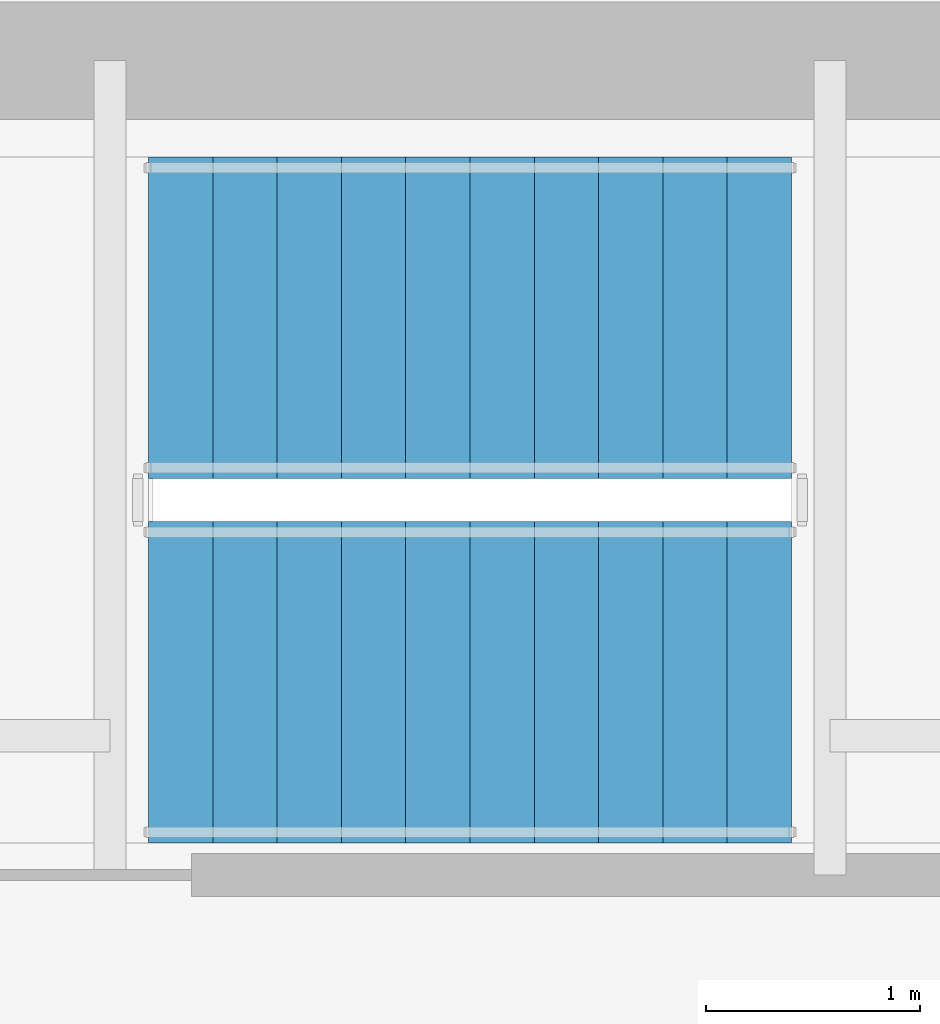
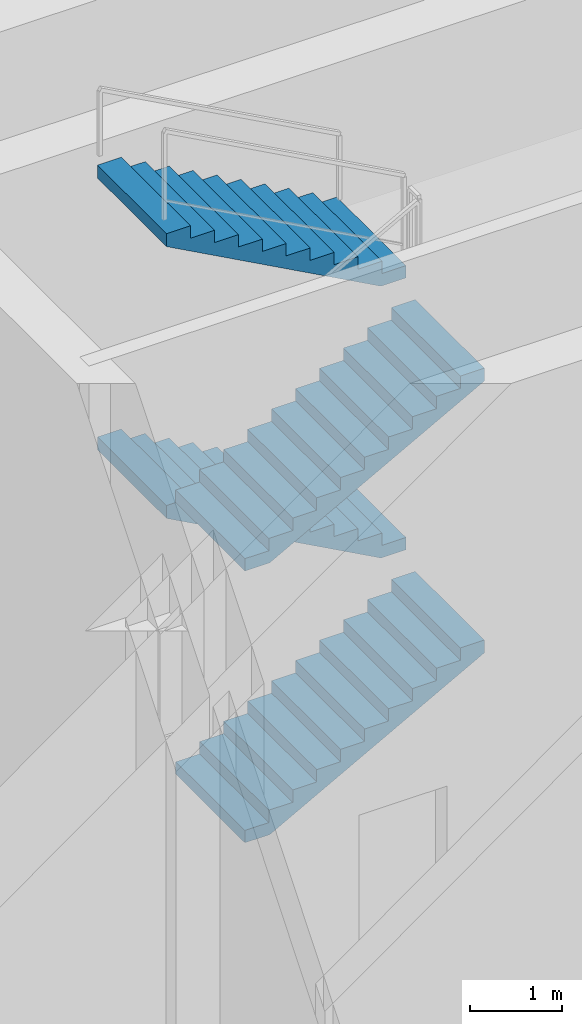
# One storey, part 12 of 20: 4 stair flights, 1 element without a shape of its own.
"""IFC4 building model written with IfcOpenShell, lengths in metres."""

from ifc_helpers import new_model, si_unit, direction, frame, origin, place, context, subcontext, project, spatial, polyline, outline, extrude, material, type_object, element, aggregate, save


model = new_model("IFC4")

# Units and contexts
model_context = context("Model", 3, precision=1e-05, world=origin(), true_north=direction((0.0, 1.0)))
body_context = subcontext(model_context, "Body", "Model", "MODEL_VIEW")
ifc_project = project(units=[si_unit("LENGTHUNIT", "METRE"), si_unit("AREAUNIT", "SQUARE_METRE"), si_unit("VOLUMEUNIT", "CUBIC_METRE"), si_unit("PLANEANGLEUNIT", "RADIAN"), si_unit("MASSUNIT", "GRAM", prefix="KILO")], contexts=[model_context])

# Site, building, storey
site_placement = place(None, origin())
site = spatial("IfcSite", under=ifc_project, at=site_placement, CompositionType="ELEMENT")
building_placement = place(site_placement, origin())
building = spatial("IfcBuilding", under=site, at=building_placement, Name="Svetorya Sky Lyceum", CompositionType="ELEMENT")
storey_placement = place(building_placement, frame((0.0, 0.0, 136.39990234375)))
storey = spatial("IfcBuildingStorey", under=building, at=storey_placement, Name="L34", CompositionType="ELEMENT", Elevation=136.39990234375)

# Stair, stair flights
ifc_material = material(Name="Concrete C40/50", Category="concrete")
stair_type = type_object("IfcStairType", Name="STR-ST-N", PredefinedType="HALF_TURN_STAIR", material=ifc_material)
stair_placement = place(storey_placement, origin())
stair = element("IfcStair", 1, at=stair_placement, inside=storey, type_object=stair_type, Name="L34 North Core Smoke-Free Exit Stair N3", PredefinedType="HALF_TURN_STAIR")
stair_flight_type = type_object("IfcStairFlightType", Name="SFL-ST-N", PredefinedType="STRAIGHT", material=ifc_material)
stair_flight_1_placement = place(storey_placement, frame((27.699951171875, 42.89990234375, 0.0), z_axis=(0.0, 0.0, 1.0), x_axis=(1.0, 0.0, 0.0)))
stair_flight_1 = element("IfcStairFlight", 2, at=stair_flight_1_placement, type_object=stair_flight_type, Name="ST-N flight 1", NumberOfRisers=11, NumberOfTreads=10, PredefinedType="STRAIGHT", RiserHeight=0.163636364, TreadLength=0.3, context=body_context, shape_type="SweptSolid", body=[
    extrude(outline(polyline([(0.0, 0.0), (0.0, 0.16357421875), (0.300048828125, 0.16357421875), (0.300048828125, 0.327392578125), (0.60009765625, 0.327392578125), (0.60009765625, 0.490966796875), (0.89990234375, 0.490966796875), (0.89990234375, 0.654541015625), (1.199951171875, 0.654541015625), (1.199951171875, 0.818115234375), (1.5, 0.818115234375), (1.5, 0.98193359375), (1.800048828125, 0.98193359375), (1.800048828125, 1.1455078125), (2.10009765625, 1.1455078125), (2.10009765625, 1.30908203125), (2.39990234375, 1.30908203125), (2.39990234375, 1.47265625), (2.699951171875, 1.47265625), (2.699951171875, 1.636474609375), (3.0, 1.636474609375), (3.0, 1.800048828125), (3.0, 1.465576171875), (0.31298828125, 0.0), (0.0, 0.0)])), frame((0.0, 0.75, 0.0), z_axis=(0.0, -1.0, 0.0), x_axis=(1.0, 0.0, 0.0)), (0.0, 0.0, 1.0), 1.5),
])
stair_flight_2_placement = place(storey_placement, frame((30.699951171875, 44.60009765625, 1.800048828125), z_axis=(0.0, 0.0, 1.0), x_axis=(-1.0, 0.0, 0.0)))
stair_flight_2 = element("IfcStairFlight", 3, at=stair_flight_2_placement, type_object=stair_flight_type, Name="ST-N flight 2", NumberOfRisers=11, NumberOfTreads=10, PredefinedType="STRAIGHT", RiserHeight=0.163636364, TreadLength=0.3, context=body_context, shape_type="SweptSolid", body=[
    extrude(outline(polyline([(0.0, 0.0), (0.0, 0.16357421875), (0.300048828125, 0.16357421875), (0.300048828125, 0.327392578125), (0.60009765625, 0.327392578125), (0.60009765625, 0.490966796875), (0.89990234375, 0.490966796875), (0.89990234375, 0.654541015625), (1.199951171875, 0.654541015625), (1.199951171875, 0.818115234375), (1.5, 0.818115234375), (1.5, 0.98193359375), (1.800048828125, 0.98193359375), (1.800048828125, 1.1455078125), (2.10009765625, 1.1455078125), (2.10009765625, 1.30908203125), (2.39990234375, 1.30908203125), (2.39990234375, 1.47265625), (2.699951171875, 1.47265625), (2.699951171875, 1.636474609375), (3.0, 1.636474609375), (3.0, 1.800048828125), (3.0, 1.465576171875), (0.31298828125, 0.0), (0.0, 0.0)])), frame((0.0, 0.75, 0.0), z_axis=(0.0, -1.0, 0.0), x_axis=(1.0, 0.0, 0.0)), (0.0, 0.0, 1.0), 1.5),
])
stair_flight_3_placement = place(storey_placement, frame((27.699951171875, 42.89990234375, 3.60009765625), z_axis=(0.0, 0.0, 1.0), x_axis=(1.0, 0.0, 0.0)))
stair_flight_3 = element("IfcStairFlight", 4, at=stair_flight_3_placement, type_object=stair_flight_type, Name="ST-N flight 3", NumberOfRisers=11, NumberOfTreads=10, PredefinedType="STRAIGHT", RiserHeight=0.163636364, TreadLength=0.3, context=body_context, shape_type="SweptSolid", body=[
    extrude(outline(polyline([(0.0, 0.0), (0.0, 0.16357421875), (0.300048828125, 0.16357421875), (0.300048828125, 0.327392578125), (0.60009765625, 0.327392578125), (0.60009765625, 0.490966796875), (0.89990234375, 0.490966796875), (0.89990234375, 0.654541015625), (1.199951171875, 0.654541015625), (1.199951171875, 0.818115234375), (1.5, 0.818115234375), (1.5, 0.98193359375), (1.800048828125, 0.98193359375), (1.800048828125, 1.1455078125), (2.10009765625, 1.1455078125), (2.10009765625, 1.30908203125), (2.39990234375, 1.30908203125), (2.39990234375, 1.47265625), (2.699951171875, 1.47265625), (2.699951171875, 1.636474609375), (3.0, 1.636474609375), (3.0, 1.800048828125), (3.0, 1.465576171875), (0.31298828125, 0.0), (0.0, 0.0)])), frame((0.0, 0.75, 0.0), z_axis=(0.0, -1.0, 0.0), x_axis=(1.0, 0.0, 0.0)), (0.0, 0.0, 1.0), 1.5),
])
stair_flight_4_placement = place(storey_placement, frame((30.699951171875, 44.60009765625, 5.400146484375), z_axis=(0.0, 0.0, 1.0), x_axis=(-1.0, 0.0, 0.0)))
stair_flight_4 = element("IfcStairFlight", 5, at=stair_flight_4_placement, type_object=stair_flight_type, Name="ST-N flight 4", NumberOfRisers=11, NumberOfTreads=10, PredefinedType="STRAIGHT", RiserHeight=0.163636364, TreadLength=0.3, context=body_context, shape_type="SweptSolid", body=[
    extrude(outline(polyline([(0.0, 0.0), (0.0, 0.16357421875), (0.300048828125, 0.16357421875), (0.300048828125, 0.327392578125), (0.60009765625, 0.327392578125), (0.60009765625, 0.490966796875), (0.89990234375, 0.490966796875), (0.89990234375, 0.654541015625), (1.199951171875, 0.654541015625), (1.199951171875, 0.818115234375), (1.5, 0.818115234375), (1.5, 0.98193359375), (1.800048828125, 0.98193359375), (1.800048828125, 1.1455078125), (2.10009765625, 1.1455078125), (2.10009765625, 1.30908203125), (2.39990234375, 1.30908203125), (2.39990234375, 1.47265625), (2.699951171875, 1.47265625), (2.699951171875, 1.636474609375), (3.0, 1.636474609375), (3.0, 1.800048828125), (3.0, 1.465576171875), (0.31298828125, 0.0), (0.0, 0.0)])), frame((0.0, 0.75, 0.0), z_axis=(0.0, -1.0, 0.0), x_axis=(1.0, 0.0, 0.0)), (0.0, 0.0, 1.0), 1.5),
])
aggregate(stair, [stair_flight_1, stair_flight_2, stair_flight_3, stair_flight_4])

save(model, "model.ifc")
